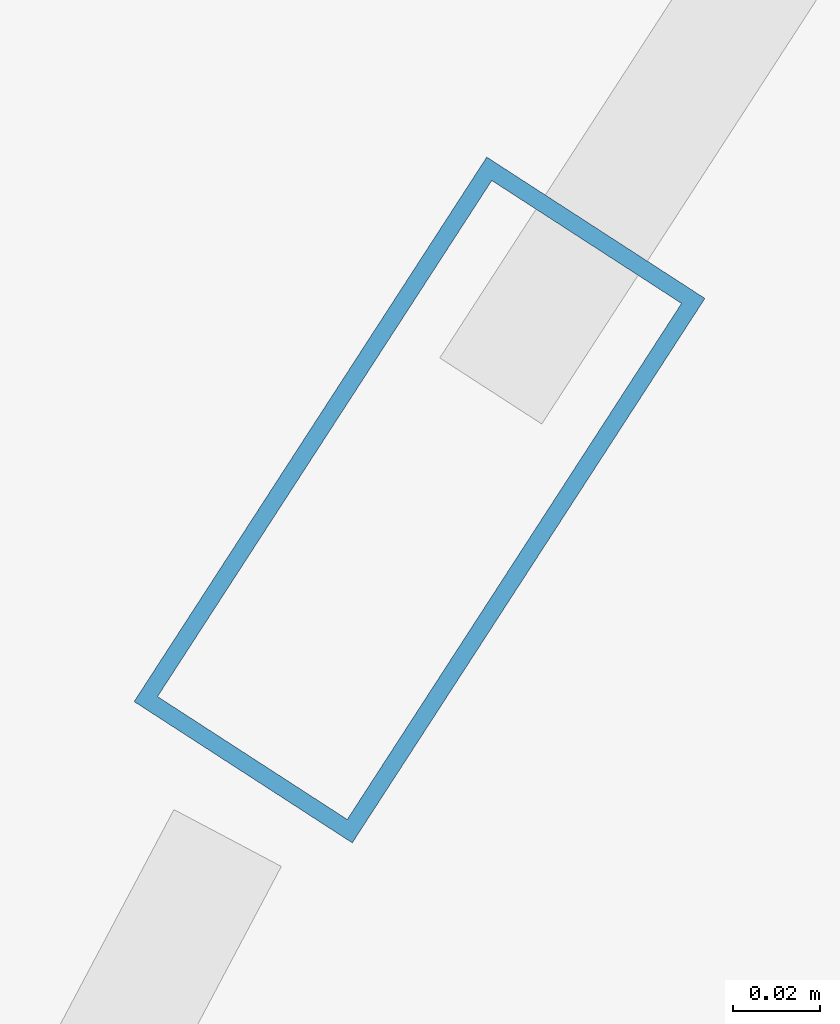
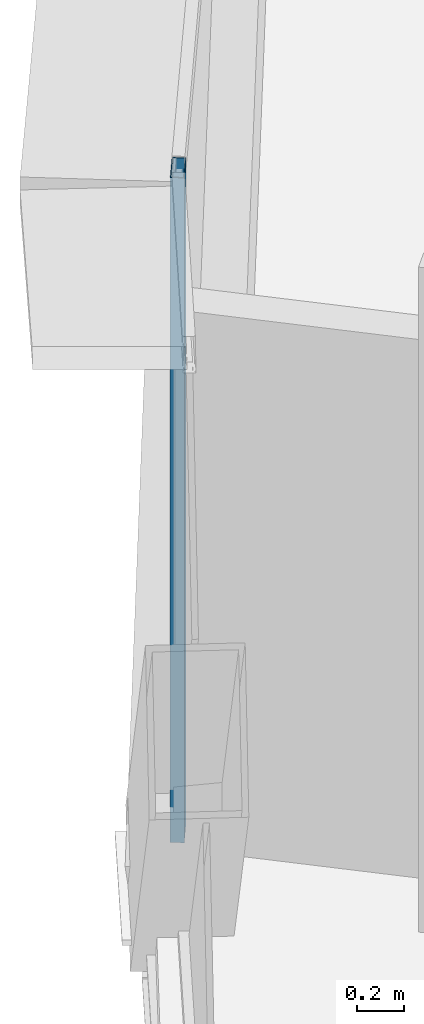
# One storey, part 16 of 39: 1 member, 1 element without a shape of its own.
"""IFC4 building model written with IfcOpenShell, lengths in metres."""

from ifc_helpers import new_model, si_unit, direction, frame, origin, origin_2d, place, context, subcontext, project, spatial, hollow_rectangle, extrude, source, transform, mapped, material, layer, layer_set, material_profile, profile_set, type_object, element, aggregate, save


model = new_model("IFC4")

# Units and contexts
model_context = context("Model", 3, precision=1e-05, world=origin(), true_north=direction((0.0, 1.0)))
body_context = subcontext(model_context, "Body", "Model", "MODEL_VIEW")
ifc_project = project(units=[si_unit("LENGTHUNIT", "METRE"), si_unit("AREAUNIT", "SQUARE_METRE"), si_unit("VOLUMEUNIT", "CUBIC_METRE"), si_unit("PLANEANGLEUNIT", "RADIAN"), si_unit("MASSUNIT", "GRAM", prefix="KILO"), si_unit("THERMODYNAMICTEMPERATUREUNIT", "KELVIN"), si_unit("POWERUNIT", "WATT")], contexts=[model_context])

# Site, building, storey
site_placement = place(None, origin())
site = spatial("IfcSite", under=ifc_project, at=site_placement, CompositionType="ELEMENT")
building_placement = place(site_placement, origin())
building = spatial("IfcBuilding", under=site, at=building_placement, Name="Yunzhuo Pagoda Commons", CompositionType="ELEMENT")
storey_placement = place(building_placement, frame((0.0, 0.0, 144.550048828125)))
storey = spatial("IfcBuildingStorey", under=building, at=storey_placement, Name="L36", CompositionType="ELEMENT", Elevation=144.550048828125)

# Curtain wall, member
ifc_material = material(Name="Anodized aluminium 6063-T6", Category="aluminium")
ifc_layer = layer(ifc_material, 0.14990234375)
ifc_layer_set = layer_set([ifc_layer], Name="Anodized aluminium 6063-T6")
curtain_wall_type = type_object("IfcCurtainWallType", Name="CW-MID Mid-Zone Ribbon Curtain Wall", PredefinedType="NOTDEFINED", material=ifc_layer_set)
curtain_wall_placement = place(storey_placement, origin())
curtain_wall = element("IfcCurtainWall", 1, at=curtain_wall_placement, inside=storey, type_object=curtain_wall_type, Name="L36 curtain wall CW-L36-F3B2", PredefinedType="NOTDEFINED")
ifc_material_profile = material_profile(ifc_material, hollow_rectangle(XDim=0.06005859375, YDim=0.14990234375, WallThickness=0.00390625, at=origin_2d()), Name="Anodized aluminium 6063-T6")
ifc_profile_set = profile_set([ifc_material_profile], Name="Anodized aluminium 6063-T6")
member_type = type_object("IfcMemberType", Name="CW-MID-M Mullion RHS 150x60x4", PredefinedType="MULLION", material=ifc_profile_set)
shared_shape = source(origin(), body_context, "Body", "SweptSolid", [
    extrude(hollow_rectangle(XDim=0.06005859375, YDim=0.14990234375, WallThickness=0.00390625, at=origin_2d()), origin(), (0.0, 0.0, 1.0), 3.419921875),
])
member_placement = place(storey_placement, frame((23.051513671875, 56.203369140625, 0.0), z_axis=(0.0, 0.0, 1.0), x_axis=(0.839320281383, -0.543637255216, 0.0)))
member = element("IfcMember", 2, at=member_placement, type_object=member_type, Name="CW mullion 2", PredefinedType="MULLION", context=body_context, shape_type="MappedRepresentation", body=[
    mapped(shared_shape, transform((0.0, 0.0, 0.0), scale=1.0)),
])
aggregate(curtain_wall, [member])

save(model, "model.ifc")
